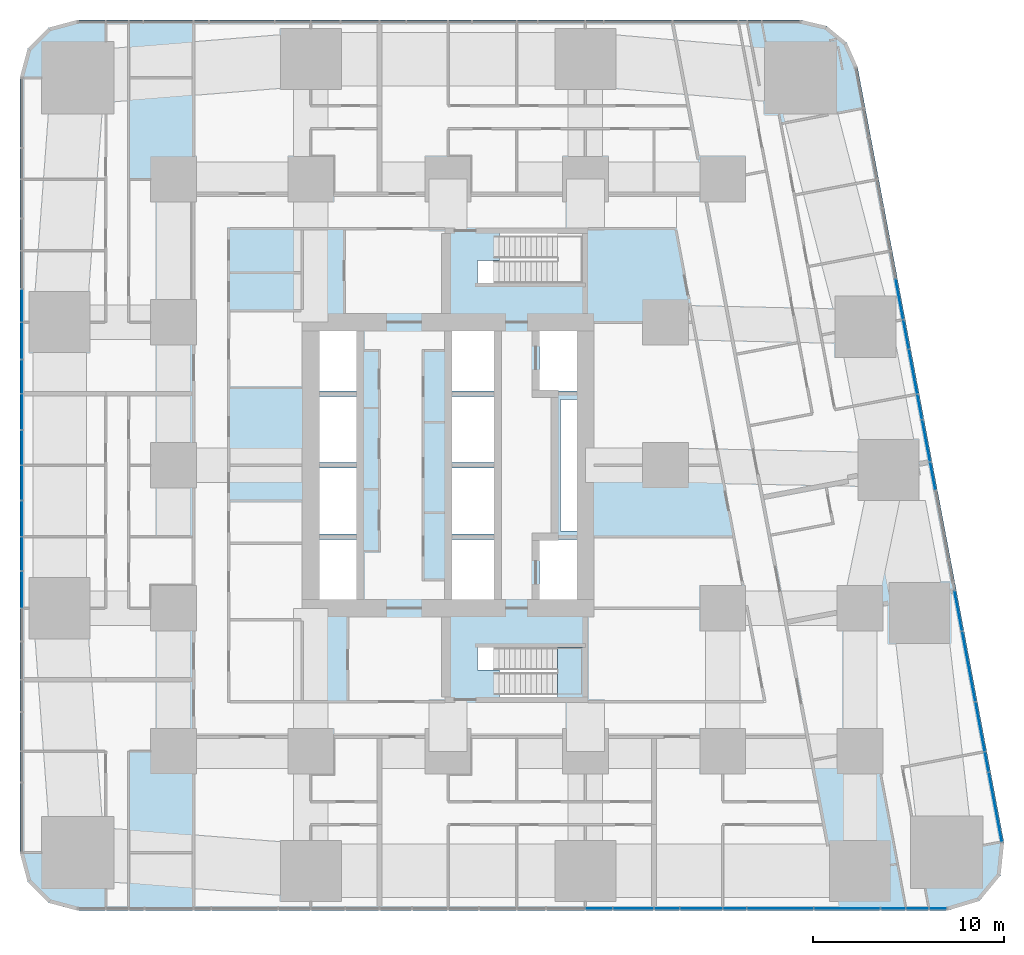
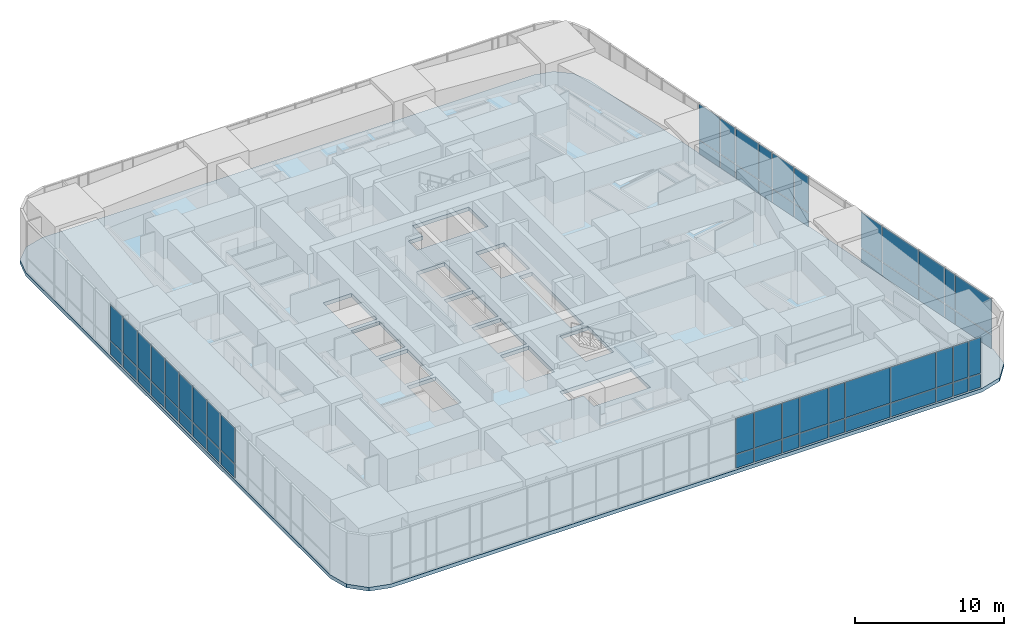
# One storey, part 10 of 23: 60 plates, 2 slabs, 4 elements without a shape of their own.
"""IFC4 building model written with IfcOpenShell, lengths in metres."""

from ifc_helpers import new_model, si_unit, direction, frame, origin, origin_2d, place, context, subcontext, project, spatial, polyline, rectangle, outline, extrude, material, layer, layer_set, type_object, element, aggregate, save


model = new_model("IFC4")

# Units and contexts
model_context = context("Model", 3, precision=1e-05, world=origin(), true_north=direction((0.0, 1.0)))
body_context = subcontext(model_context, "Body", "Model", "MODEL_VIEW")
ifc_project = project(units=[si_unit("LENGTHUNIT", "METRE"), si_unit("AREAUNIT", "SQUARE_METRE"), si_unit("VOLUMEUNIT", "CUBIC_METRE"), si_unit("PLANEANGLEUNIT", "RADIAN"), si_unit("MASSUNIT", "GRAM", prefix="KILO")], contexts=[model_context])

# Site, building, storey
site_placement = place(None, origin())
site = spatial("IfcSite", under=ifc_project, at=site_placement, CompositionType="ELEMENT")
building_placement = place(site_placement, origin())
building = spatial("IfcBuilding", under=site, at=building_placement, Name="Sheger Commons Tower", CompositionType="ELEMENT")
storey_placement = place(building_placement, frame((0.0, 0.0, 5.60009765625)))
storey = spatial("IfcBuildingStorey", under=building, at=storey_placement, Name="L01", CompositionType="ELEMENT", Elevation=5.60009765625)

# Curtain wall, plates
ifc_material_1 = material(Name="Black aluminium curtain wall, dark tinted glazing", Category="aluminium")
curtain_wall_type = type_object("IfcCurtainWallType", Name="CURTAIN WALL CW2 HEALTH CENTRE", PredefinedType="USERDEFINED", material=ifc_material_1)
curtain_wall_1_placement = place(storey_placement, origin())
curtain_wall_1 = element("IfcCurtainWall", 1, at=curtain_wall_1_placement, inside=storey, type_object=curtain_wall_type, Name="Curtain Wall Cw2 Health Centre S1 L01", ObjectType="STICK CURTAIN WALL", PredefinedType="USERDEFINED")
ifc_material_2 = material(Name="Dark tinted double glazing", Category="glass")
ifc_layer_1 = layer(ifc_material_2, 0.031982421875)
ifc_layer_set_1 = layer_set([ifc_layer_1], Name="GLAZED PANEL 32")
plate_type = type_object("IfcPlateType", Name="GLAZED PANEL 32", PredefinedType="CURTAIN_PANEL", material=ifc_layer_set_1)
plate_1_placement = place(storey_placement, frame((29.52099609375, -0.75, 0.06494140625), z_axis=(0.0, 0.0, 1.0), x_axis=(1.0, 0.0, 0.0)))
plate_1 = element("IfcPlate", 2, at=plate_1_placement, type_object=plate_type, Name="CW2 panel 16.1", PredefinedType="CURTAIN_PANEL", context=body_context, shape_type="SweptSolid", body=[
    extrude(rectangle(XDim=1.376953125, YDim=0.031982421875, at=origin_2d()), origin(), (0.0, 0.0, 1.0), 1.1025390625),
])
plate_2_placement = place(storey_placement, frame((29.52099609375, -0.75, 1.232421875), z_axis=(0.0, 0.0, 1.0), x_axis=(1.0, 0.0, 0.0)))
plate_2 = element("IfcPlate", 3, at=plate_2_placement, type_object=plate_type, Name="CW2 panel 16.2", PredefinedType="CURTAIN_PANEL", context=body_context, shape_type="SweptSolid", body=[
    extrude(rectangle(XDim=1.376953125, YDim=0.031982421875, at=origin_2d()), origin(), (0.0, 0.0, 1.0), 2.902587890625),
])
plate_3_placement = place(storey_placement, frame((31.321044921875, -0.75, 0.06494140625), z_axis=(0.0, 0.0, 1.0), x_axis=(1.0, 0.0, 0.0)))
plate_3 = element("IfcPlate", 4, at=plate_3_placement, type_object=plate_type, Name="CW2 panel 17.1", PredefinedType="CURTAIN_PANEL", context=body_context, shape_type="SweptSolid", body=[
    extrude(rectangle(XDim=2.093017578125, YDim=0.031982421875, at=origin_2d()), origin(), (0.0, 0.0, 1.0), 1.1025390625),
])
plate_4_placement = place(storey_placement, frame((31.321044921875, -0.75, 1.232421875), z_axis=(0.0, 0.0, 1.0), x_axis=(1.0, 0.0, 0.0)))
plate_4 = element("IfcPlate", 5, at=plate_4_placement, type_object=plate_type, Name="CW2 panel 17.2", PredefinedType="CURTAIN_PANEL", context=body_context, shape_type="SweptSolid", body=[
    extrude(rectangle(XDim=2.093017578125, YDim=0.031982421875, at=origin_2d()), origin(), (0.0, 0.0, 1.0), 2.902587890625),
])
plate_5_placement = place(storey_placement, frame((33.075927734375, -0.75, 0.06494140625), z_axis=(0.0, 0.0, 1.0), x_axis=(1.0, 0.0, 0.0)))
plate_5 = element("IfcPlate", 6, at=plate_5_placement, type_object=plate_type, Name="CW2 panel 18.1", PredefinedType="CURTAIN_PANEL", context=body_context, shape_type="SweptSolid", body=[
    extrude(rectangle(XDim=1.287109375, YDim=0.031982421875, at=origin_2d()), origin(), (0.0, 0.0, 1.0), 1.1025390625),
])
plate_6_placement = place(storey_placement, frame((33.075927734375, -0.75, 1.232421875), z_axis=(0.0, 0.0, 1.0), x_axis=(1.0, 0.0, 0.0)))
plate_6 = element("IfcPlate", 7, at=plate_6_placement, type_object=plate_type, Name="CW2 panel 18.2", PredefinedType="CURTAIN_PANEL", context=body_context, shape_type="SweptSolid", body=[
    extrude(rectangle(XDim=1.287109375, YDim=0.031982421875, at=origin_2d()), origin(), (0.0, 0.0, 1.0), 2.902587890625),
])
plate_7_placement = place(storey_placement, frame((34.8759765625, -0.75, 0.06494140625), z_axis=(0.0, 0.0, 1.0), x_axis=(1.0, 0.0, 0.0)))
plate_7 = element("IfcPlate", 8, at=plate_7_placement, type_object=plate_type, Name="CW2 panel 19.1", PredefinedType="CURTAIN_PANEL", context=body_context, shape_type="SweptSolid", body=[
    extrude(rectangle(XDim=2.18310546875, YDim=0.031982421875, at=origin_2d()), origin(), (0.0, 0.0, 1.0), 1.1025390625),
])
plate_8_placement = place(storey_placement, frame((34.8759765625, -0.75, 1.232421875), z_axis=(0.0, 0.0, 1.0), x_axis=(1.0, 0.0, 0.0)))
plate_8 = element("IfcPlate", 9, at=plate_8_placement, type_object=plate_type, Name="CW2 panel 19.2", PredefinedType="CURTAIN_PANEL", context=body_context, shape_type="SweptSolid", body=[
    extrude(rectangle(XDim=2.18310546875, YDim=0.031982421875, at=origin_2d()), origin(), (0.0, 0.0, 1.0), 2.902587890625),
])
plate_9_placement = place(storey_placement, frame((36.630615234375, -0.75, 0.06494140625), z_axis=(0.0, 0.0, 1.0), x_axis=(1.0, 0.0, 0.0)))
plate_9 = element("IfcPlate", 10, at=plate_9_placement, type_object=plate_type, Name="CW2 panel 20.1", PredefinedType="CURTAIN_PANEL", context=body_context, shape_type="SweptSolid", body=[
    extrude(rectangle(XDim=1.196044921875, YDim=0.031982421875, at=origin_2d()), origin(), (0.0, 0.0, 1.0), 1.1025390625),
])
plate_10_placement = place(storey_placement, frame((36.630615234375, -0.75, 1.232421875), z_axis=(0.0, 0.0, 1.0), x_axis=(1.0, 0.0, 0.0)))
plate_10 = element("IfcPlate", 11, at=plate_10_placement, type_object=plate_type, Name="CW2 panel 20.2", PredefinedType="CURTAIN_PANEL", context=body_context, shape_type="SweptSolid", body=[
    extrude(rectangle(XDim=1.196044921875, YDim=0.031982421875, at=origin_2d()), origin(), (0.0, 0.0, 1.0), 2.902587890625),
])
plate_11_placement = place(storey_placement, frame((39.01611328125, -0.75, 0.06494140625), z_axis=(0.0, 0.0, 1.0), x_axis=(1.0, 0.0, 0.0)))
plate_11 = element("IfcPlate", 12, at=plate_11_placement, type_object=plate_type, Name="CW2 panel 21.1", PredefinedType="CURTAIN_PANEL", context=body_context, shape_type="SweptSolid", body=[
    extrude(rectangle(XDim=3.445068359375, YDim=0.031982421875, at=origin_2d()), origin(), (0.0, 0.0, 1.0), 1.1025390625),
])
plate_12_placement = place(storey_placement, frame((39.01611328125, -0.75, 1.232421875), z_axis=(0.0, 0.0, 1.0), x_axis=(1.0, 0.0, 0.0)))
plate_12 = element("IfcPlate", 13, at=plate_12_placement, type_object=plate_type, Name="CW2 panel 21.2", PredefinedType="CURTAIN_PANEL", context=body_context, shape_type="SweptSolid", body=[
    extrude(rectangle(XDim=3.445068359375, YDim=0.031982421875, at=origin_2d()), origin(), (0.0, 0.0, 1.0), 2.902587890625),
])
plate_13_placement = place(storey_placement, frame((42.52587890625, -0.75, 0.06494140625), z_axis=(0.0, 0.0, 1.0), x_axis=(1.0, 0.0, 0.0)))
plate_13 = element("IfcPlate", 14, at=plate_13_placement, type_object=plate_type, Name="CW2 panel 22.1", PredefinedType="CURTAIN_PANEL", context=body_context, shape_type="SweptSolid", body=[
    extrude(rectangle(XDim=3.445068359375, YDim=0.031982421875, at=origin_2d()), origin(), (0.0, 0.0, 1.0), 1.1025390625),
])
plate_14_placement = place(storey_placement, frame((42.52587890625, -0.75, 1.232421875), z_axis=(0.0, 0.0, 1.0), x_axis=(1.0, 0.0, 0.0)))
plate_14 = element("IfcPlate", 15, at=plate_14_placement, type_object=plate_type, Name="CW2 panel 22.2", PredefinedType="CURTAIN_PANEL", context=body_context, shape_type="SweptSolid", body=[
    extrude(rectangle(XDim=3.445068359375, YDim=0.031982421875, at=origin_2d()), origin(), (0.0, 0.0, 1.0), 2.902587890625),
])
plate_15_placement = place(storey_placement, frame((44.943603515625, -0.75, 0.06494140625), z_axis=(0.0, 0.0, 1.0), x_axis=(1.0, 0.0, 0.0)))
plate_15 = element("IfcPlate", 16, at=plate_15_placement, type_object=plate_type, Name="CW2 panel 23.1", PredefinedType="CURTAIN_PANEL", context=body_context, shape_type="SweptSolid", body=[
    extrude(rectangle(XDim=1.260009765625, YDim=0.031982421875, at=origin_2d()), origin(), (0.0, 0.0, 1.0), 1.1025390625),
])
plate_16_placement = place(storey_placement, frame((44.943603515625, -0.75, 1.232421875), z_axis=(0.0, 0.0, 1.0), x_axis=(1.0, 0.0, 0.0)))
plate_16 = element("IfcPlate", 17, at=plate_16_placement, type_object=plate_type, Name="CW2 panel 23.2", PredefinedType="CURTAIN_PANEL", context=body_context, shape_type="SweptSolid", body=[
    extrude(rectangle(XDim=1.260009765625, YDim=0.031982421875, at=origin_2d()), origin(), (0.0, 0.0, 1.0), 2.902587890625),
])
plate_17_placement = place(storey_placement, frame((46.216552734375, -0.75, 0.06494140625), z_axis=(0.0, 0.0, 1.0), x_axis=(1.0, 0.0, 0.0)))
plate_17 = element("IfcPlate", 18, at=plate_17_placement, type_object=plate_type, Name="CW2 panel 24.1", PredefinedType="CURTAIN_PANEL", context=body_context, shape_type="SweptSolid", body=[
    extrude(rectangle(XDim=1.156005859375, YDim=0.031982421875, at=origin_2d()), origin(), (0.0, 0.0, 1.0), 1.1025390625),
])
plate_18_placement = place(storey_placement, frame((46.216552734375, -0.75, 1.232421875), z_axis=(0.0, 0.0, 1.0), x_axis=(1.0, 0.0, 0.0)))
plate_18 = element("IfcPlate", 19, at=plate_18_placement, type_object=plate_type, Name="CW2 panel 24.2", PredefinedType="CURTAIN_PANEL", context=body_context, shape_type="SweptSolid", body=[
    extrude(rectangle(XDim=1.156005859375, YDim=0.031982421875, at=origin_2d()), origin(), (0.0, 0.0, 1.0), 2.902587890625),
])
plate_19_placement = place(storey_placement, frame((47.292724609375, -0.75, 0.06494140625), z_axis=(0.0, 0.0, 1.0), x_axis=(1.0, 0.0, 0.0)))
plate_19 = element("IfcPlate", 20, at=plate_19_placement, type_object=plate_type, Name="CW2 panel 25.1", PredefinedType="CURTAIN_PANEL", context=body_context, shape_type="SweptSolid", body=[
    extrude(rectangle(XDim=0.866455078125, YDim=0.031982421875, at=origin_2d()), origin(), (0.0, 0.0, 1.0), 1.1025390625),
])
plate_20_placement = place(storey_placement, frame((47.292724609375, -0.75, 1.232421875), z_axis=(0.0, 0.0, 1.0), x_axis=(1.0, 0.0, 0.0)))
plate_20 = element("IfcPlate", 21, at=plate_20_placement, type_object=plate_type, Name="CW2 panel 25.2", PredefinedType="CURTAIN_PANEL", context=body_context, shape_type="SweptSolid", body=[
    extrude(rectangle(XDim=0.866455078125, YDim=0.031982421875, at=origin_2d()), origin(), (0.0, 0.0, 1.0), 2.902587890625),
])
aggregate(curtain_wall_1, [plate_1, plate_2, plate_3, plate_4, plate_5, plate_6, plate_7, plate_8, plate_9, plate_10, plate_11, plate_12, plate_13, plate_14, plate_15, plate_16, plate_17, plate_18, plate_19, plate_20])

curtain_wall_2_placement = place(storey_placement, origin())
curtain_wall_2 = element("IfcCurtainWall", 22, at=curtain_wall_2_placement, inside=storey, type_object=curtain_wall_type, Name="Curtain Wall Cw2 Health Centre E1 L01", ObjectType="STICK CURTAIN WALL", PredefinedType="USERDEFINED")
plate_21_placement = place(storey_placement, frame((50.30078125, 4.56787109375, 0.06494140625), z_axis=(0.0, 0.0, 1.0), x_axis=(-0.185609884918, 0.982623514181, 0.0)))
plate_21 = element("IfcPlate", 23, at=plate_21_placement, type_object=plate_type, Name="CW2 panel 1.1", PredefinedType="CURTAIN_PANEL", context=body_context, shape_type="SweptSolid", body=[
    extrude(rectangle(XDim=3.66552734375, YDim=0.031982421875, at=origin_2d()), origin(), (0.0, 0.0, 1.0), 1.1025390625),
])
plate_22_placement = place(storey_placement, frame((50.30078125, 4.56787109375, 1.232421875), z_axis=(0.0, 0.0, 1.0), x_axis=(-0.185609884918, 0.982623514181, 0.0)))
plate_22 = element("IfcPlate", 24, at=plate_22_placement, type_object=plate_type, Name="CW2 panel 1.2", PredefinedType="CURTAIN_PANEL", context=body_context, shape_type="SweptSolid", body=[
    extrude(rectangle(XDim=3.66552734375, YDim=0.031982421875, at=origin_2d()), origin(), (0.0, 0.0, 1.0), 2.902587890625),
])
plate_23_placement = place(storey_placement, frame((49.8525390625, 6.941162109375, 0.06494140625), z_axis=(0.0, 0.0, 1.0), x_axis=(-0.185609884918, 0.982623514181, 0.0)))
plate_23 = element("IfcPlate", 25, at=plate_23_placement, type_object=plate_type, Name="CW2 panel 2.1", PredefinedType="CURTAIN_PANEL", context=body_context, shape_type="SweptSolid", body=[
    extrude(rectangle(XDim=1.034912109375, YDim=0.031982421875, at=origin_2d()), origin(), (0.0, 0.0, 1.0), 1.1025390625),
])
plate_24_placement = place(storey_placement, frame((49.8525390625, 6.941162109375, 1.232421875), z_axis=(0.0, 0.0, 1.0), x_axis=(-0.185609884918, 0.982623514181, 0.0)))
plate_24 = element("IfcPlate", 26, at=plate_24_placement, type_object=plate_type, Name="CW2 panel 2.2", PredefinedType="CURTAIN_PANEL", context=body_context, shape_type="SweptSolid", body=[
    extrude(rectangle(XDim=1.034912109375, YDim=0.031982421875, at=origin_2d()), origin(), (0.0, 0.0, 1.0), 2.902587890625),
])
plate_25_placement = place(storey_placement, frame((49.503173828125, 8.789794921875, 0.06494140625), z_axis=(0.0, 0.0, 1.0), x_axis=(-0.185609884918, 0.982623514181, 0.0)))
plate_25 = element("IfcPlate", 27, at=plate_25_placement, type_object=plate_type, Name="CW2 panel 3.1", PredefinedType="CURTAIN_PANEL", context=body_context, shape_type="SweptSolid", body=[
    extrude(rectangle(XDim=2.597900390625, YDim=0.031982421875, at=origin_2d()), origin(), (0.0, 0.0, 1.0), 1.1025390625),
])
plate_26_placement = place(storey_placement, frame((49.503173828125, 8.789794921875, 1.232421875), z_axis=(0.0, 0.0, 1.0), x_axis=(-0.185609884918, 0.982623514181, 0.0)))
plate_26 = element("IfcPlate", 28, at=plate_26_placement, type_object=plate_type, Name="CW2 panel 3.2", PredefinedType="CURTAIN_PANEL", context=body_context, shape_type="SweptSolid", body=[
    extrude(rectangle(XDim=2.597900390625, YDim=0.031982421875, at=origin_2d()), origin(), (0.0, 0.0, 1.0), 2.902587890625),
])
plate_27_placement = place(storey_placement, frame((48.906982421875, 11.947021484375, 0.06494140625), z_axis=(0.0, 0.0, 1.0), x_axis=(-0.185609884918, 0.982623514181, 0.0)))
plate_27 = element("IfcPlate", 29, at=plate_27_placement, type_object=plate_type, Name="CW2 panel 4.1", PredefinedType="CURTAIN_PANEL", context=body_context, shape_type="SweptSolid", body=[
    extrude(rectangle(XDim=3.697998046875, YDim=0.031982421875, at=origin_2d()), origin(), (0.0, 0.0, 1.0), 1.1025390625),
])
plate_28_placement = place(storey_placement, frame((48.906982421875, 11.947021484375, 1.232421875), z_axis=(0.0, 0.0, 1.0), x_axis=(-0.185609884918, 0.982623514181, 0.0)))
plate_28 = element("IfcPlate", 30, at=plate_28_placement, type_object=plate_type, Name="CW2 panel 4.2", PredefinedType="CURTAIN_PANEL", context=body_context, shape_type="SweptSolid", body=[
    extrude(rectangle(XDim=3.697998046875, YDim=0.031982421875, at=origin_2d()), origin(), (0.0, 0.0, 1.0), 2.902587890625),
])
plate_29_placement = place(storey_placement, frame((48.355712890625, 14.865478515625, 0.06494140625), z_axis=(0.0, 0.0, 1.0), x_axis=(-0.185609884918, 0.982623514181, 0.0)))
plate_29 = element("IfcPlate", 31, at=plate_29_placement, type_object=plate_type, Name="CW2 panel 5.1", PredefinedType="CURTAIN_PANEL", context=body_context, shape_type="SweptSolid", body=[
    extrude(rectangle(XDim=2.112060546875, YDim=0.031982421875, at=origin_2d()), origin(), (0.0, 0.0, 1.0), 1.1025390625),
])
plate_30_placement = place(storey_placement, frame((48.355712890625, 14.865478515625, 1.232421875), z_axis=(0.0, 0.0, 1.0), x_axis=(-0.185609884918, 0.982623514181, 0.0)))
plate_30 = element("IfcPlate", 32, at=plate_30_placement, type_object=plate_type, Name="CW2 panel 5.2", PredefinedType="CURTAIN_PANEL", context=body_context, shape_type="SweptSolid", body=[
    extrude(rectangle(XDim=2.112060546875, YDim=0.031982421875, at=origin_2d()), origin(), (0.0, 0.0, 1.0), 2.902587890625),
])
plate_31_placement = place(storey_placement, frame((47.0205078125, 21.932861328125, 0.06494140625), z_axis=(0.0, 0.0, 1.0), x_axis=(-0.185609884918, 0.982623514181, 0.0)))
plate_31 = element("IfcPlate", 33, at=plate_31_placement, type_object=plate_type, Name="CW2 panel 9.1", PredefinedType="CURTAIN_PANEL", context=body_context, shape_type="SweptSolid", body=[
    extrude(rectangle(XDim=1.445068359375, YDim=0.031982421875, at=origin_2d()), origin(), (0.0, 0.0, 1.0), 1.1025390625),
])
plate_32_placement = place(storey_placement, frame((47.0205078125, 21.932861328125, 1.232421875), z_axis=(0.0, 0.0, 1.0), x_axis=(-0.185609884918, 0.982623514181, 0.0)))
plate_32 = element("IfcPlate", 34, at=plate_32_placement, type_object=plate_type, Name="CW2 panel 9.2", PredefinedType="CURTAIN_PANEL", context=body_context, shape_type="SweptSolid", body=[
    extrude(rectangle(XDim=1.445068359375, YDim=0.031982421875, at=origin_2d()), origin(), (0.0, 0.0, 1.0), 2.902587890625),
])
plate_33_placement = place(storey_placement, frame((46.67138671875, 23.78173828125, 0.06494140625), z_axis=(0.0, 0.0, 1.0), x_axis=(-0.185609884918, 0.982623514181, 0.0)))
plate_33 = element("IfcPlate", 35, at=plate_33_placement, type_object=plate_type, Name="CW2 panel 10.1", PredefinedType="CURTAIN_PANEL", context=body_context, shape_type="SweptSolid", body=[
    extrude(rectangle(XDim=2.18798828125, YDim=0.031982421875, at=origin_2d()), origin(), (0.0, 0.0, 1.0), 1.1025390625),
])
plate_34_placement = place(storey_placement, frame((46.67138671875, 23.78173828125, 1.232421875), z_axis=(0.0, 0.0, 1.0), x_axis=(-0.185609884918, 0.982623514181, 0.0)))
plate_34 = element("IfcPlate", 36, at=plate_34_placement, type_object=plate_type, Name="CW2 panel 10.2", PredefinedType="CURTAIN_PANEL", context=body_context, shape_type="SweptSolid", body=[
    extrude(rectangle(XDim=2.18798828125, YDim=0.031982421875, at=origin_2d()), origin(), (0.0, 0.0, 1.0), 2.902587890625),
])
plate_35_placement = place(storey_placement, frame((46.33544921875, 25.559814453125, 0.06494140625), z_axis=(0.0, 0.0, 1.0), x_axis=(-0.185609884918, 0.982623514181, 0.0)))
plate_35 = element("IfcPlate", 37, at=plate_35_placement, type_object=plate_type, Name="CW2 panel 11.1", PredefinedType="CURTAIN_PANEL", context=body_context, shape_type="SweptSolid", body=[
    extrude(rectangle(XDim=1.301025390625, YDim=0.031982421875, at=origin_2d()), origin(), (0.0, 0.0, 1.0), 1.1025390625),
])
plate_36_placement = place(storey_placement, frame((46.33544921875, 25.559814453125, 1.232421875), z_axis=(0.0, 0.0, 1.0), x_axis=(-0.185609884918, 0.982623514181, 0.0)))
plate_36 = element("IfcPlate", 38, at=plate_36_placement, type_object=plate_type, Name="CW2 panel 11.2", PredefinedType="CURTAIN_PANEL", context=body_context, shape_type="SweptSolid", body=[
    extrude(rectangle(XDim=1.301025390625, YDim=0.031982421875, at=origin_2d()), origin(), (0.0, 0.0, 1.0), 2.902587890625),
])
plate_37_placement = place(storey_placement, frame((45.986328125, 27.40869140625, 0.06494140625), z_axis=(0.0, 0.0, 1.0), x_axis=(-0.185609884918, 0.982623514181, 0.0)))
plate_37 = element("IfcPlate", 39, at=plate_37_placement, type_object=plate_type, Name="CW2 panel 12.1", PredefinedType="CURTAIN_PANEL", context=body_context, shape_type="SweptSolid", body=[
    extrude(rectangle(XDim=2.33203125, YDim=0.031982421875, at=origin_2d()), origin(), (0.0, 0.0, 1.0), 1.1025390625),
])
plate_38_placement = place(storey_placement, frame((45.986328125, 27.40869140625, 1.232421875), z_axis=(0.0, 0.0, 1.0), x_axis=(-0.185609884918, 0.982623514181, 0.0)))
plate_38 = element("IfcPlate", 40, at=plate_38_placement, type_object=plate_type, Name="CW2 panel 12.2", PredefinedType="CURTAIN_PANEL", context=body_context, shape_type="SweptSolid", body=[
    extrude(rectangle(XDim=2.33203125, YDim=0.031982421875, at=origin_2d()), origin(), (0.0, 0.0, 1.0), 2.902587890625),
])
plate_39_placement = place(storey_placement, frame((45.6171875, 29.362548828125, 0.06494140625), z_axis=(0.0, 0.0, 1.0), x_axis=(-0.185609884918, 0.982623514181, 0.0)))
plate_39 = element("IfcPlate", 41, at=plate_39_placement, type_object=plate_type, Name="CW2 panel 13.1", PredefinedType="CURTAIN_PANEL", context=body_context, shape_type="SweptSolid", body=[
    extrude(rectangle(XDim=1.514892578125, YDim=0.031982421875, at=origin_2d()), origin(), (0.0, 0.0, 1.0), 1.1025390625),
])
plate_40_placement = place(storey_placement, frame((45.6171875, 29.362548828125, 1.232421875), z_axis=(0.0, 0.0, 1.0), x_axis=(-0.185609884918, 0.982623514181, 0.0)))
plate_40 = element("IfcPlate", 42, at=plate_40_placement, type_object=plate_type, Name="CW2 panel 13.2", PredefinedType="CURTAIN_PANEL", context=body_context, shape_type="SweptSolid", body=[
    extrude(rectangle(XDim=1.514892578125, YDim=0.031982421875, at=origin_2d()), origin(), (0.0, 0.0, 1.0), 2.902587890625),
])
plate_41_placement = place(storey_placement, frame((45.26806640625, 31.21142578125, 0.06494140625), z_axis=(0.0, 0.0, 1.0), x_axis=(-0.185609884918, 0.982623514181, 0.0)))
plate_41 = element("IfcPlate", 43, at=plate_41_placement, type_object=plate_type, Name="CW2 panel 14.1", PredefinedType="CURTAIN_PANEL", context=body_context, shape_type="SweptSolid", body=[
    extrude(rectangle(XDim=2.117919921875, YDim=0.031982421875, at=origin_2d()), origin(), (0.0, 0.0, 1.0), 1.1025390625),
])
plate_42_placement = place(storey_placement, frame((45.26806640625, 31.21142578125, 1.232421875), z_axis=(0.0, 0.0, 1.0), x_axis=(-0.185609884918, 0.982623514181, 0.0)))
plate_42 = element("IfcPlate", 44, at=plate_42_placement, type_object=plate_type, Name="CW2 panel 14.2", PredefinedType="CURTAIN_PANEL", context=body_context, shape_type="SweptSolid", body=[
    extrude(rectangle(XDim=2.117919921875, YDim=0.031982421875, at=origin_2d()), origin(), (0.0, 0.0, 1.0), 2.902587890625),
])
aggregate(curtain_wall_2, [plate_21, plate_22, plate_23, plate_24, plate_25, plate_26, plate_27, plate_28, plate_29, plate_30, plate_31, plate_32, plate_33, plate_34, plate_35, plate_36, plate_37, plate_38, plate_39, plate_40, plate_41, plate_42])

curtain_wall_3_placement = place(storey_placement, origin())
curtain_wall_3 = element("IfcCurtainWall", 45, at=curtain_wall_3_placement, inside=storey, type_object=curtain_wall_type, Name="Curtain Wall Cw2 Health Centre W1 L01", ObjectType="STICK CURTAIN WALL", PredefinedType="USERDEFINED")
plate_43_placement = place(storey_placement, frame((-0.75, 30.8720703125, 0.06494140625), z_axis=(0.0, 0.0, 1.0), x_axis=(0.0, -1.0, 0.0)))
plate_43 = element("IfcPlate", 46, at=plate_43_placement, type_object=plate_type, Name="CW2 panel 6.1", PredefinedType="CURTAIN_PANEL", context=body_context, shape_type="SweptSolid", body=[
    extrude(rectangle(XDim=1.678955078125, YDim=0.031982421875, at=origin_2d()), origin(), (0.0, 0.0, 1.0), 1.1025390625),
])
plate_44_placement = place(storey_placement, frame((-0.75, 30.8720703125, 1.232421875), z_axis=(0.0, 0.0, 1.0), x_axis=(0.0, -1.0, 0.0)))
plate_44 = element("IfcPlate", 47, at=plate_44_placement, type_object=plate_type, Name="CW2 panel 6.2", PredefinedType="CURTAIN_PANEL", context=body_context, shape_type="SweptSolid", body=[
    extrude(rectangle(XDim=1.678955078125, YDim=0.031982421875, at=origin_2d()), origin(), (0.0, 0.0, 1.0), 2.902587890625),
])
plate_45_placement = place(storey_placement, frame((-0.75, 29.02294921875, 0.06494140625), z_axis=(0.0, 0.0, 1.0), x_axis=(0.0, -1.0, 0.0)))
plate_45 = element("IfcPlate", 48, at=plate_45_placement, type_object=plate_type, Name="CW2 panel 7.1", PredefinedType="CURTAIN_PANEL", context=body_context, shape_type="SweptSolid", body=[
    extrude(rectangle(XDim=1.888916015625, YDim=0.031982421875, at=origin_2d()), origin(), (0.0, 0.0, 1.0), 1.1025390625),
])
plate_46_placement = place(storey_placement, frame((-0.75, 29.02294921875, 1.232421875), z_axis=(0.0, 0.0, 1.0), x_axis=(0.0, -1.0, 0.0)))
plate_46 = element("IfcPlate", 49, at=plate_46_placement, type_object=plate_type, Name="CW2 panel 7.2", PredefinedType="CURTAIN_PANEL", context=body_context, shape_type="SweptSolid", body=[
    extrude(rectangle(XDim=1.888916015625, YDim=0.031982421875, at=origin_2d()), origin(), (0.0, 0.0, 1.0), 2.902587890625),
])
plate_47_placement = place(storey_placement, frame((-0.75, 27.14794921875, 0.06494140625), z_axis=(0.0, 0.0, 1.0), x_axis=(0.0, -1.0, 0.0)))
plate_47 = element("IfcPlate", 50, at=plate_47_placement, type_object=plate_type, Name="CW2 panel 8.1", PredefinedType="CURTAIN_PANEL", context=body_context, shape_type="SweptSolid", body=[
    extrude(rectangle(XDim=1.73095703125, YDim=0.031982421875, at=origin_2d()), origin(), (0.0, 0.0, 1.0), 1.1025390625),
])
plate_48_placement = place(storey_placement, frame((-0.75, 27.14794921875, 1.232421875), z_axis=(0.0, 0.0, 1.0), x_axis=(0.0, -1.0, 0.0)))
plate_48 = element("IfcPlate", 51, at=plate_48_placement, type_object=plate_type, Name="CW2 panel 8.2", PredefinedType="CURTAIN_PANEL", context=body_context, shape_type="SweptSolid", body=[
    extrude(rectangle(XDim=1.73095703125, YDim=0.031982421875, at=origin_2d()), origin(), (0.0, 0.0, 1.0), 2.902587890625),
])
plate_49_placement = place(storey_placement, frame((-0.75, 25.299560546875, 0.06494140625), z_axis=(0.0, 0.0, 1.0), x_axis=(0.0, -1.0, 0.0)))
plate_49 = element("IfcPlate", 52, at=plate_49_placement, type_object=plate_type, Name="CW2 panel 9.1", PredefinedType="CURTAIN_PANEL", context=body_context, shape_type="SweptSolid", body=[
    extrude(rectangle(XDim=1.8359375, YDim=0.031982421875, at=origin_2d()), origin(), (0.0, 0.0, 1.0), 1.1025390625),
])
plate_50_placement = place(storey_placement, frame((-0.75, 25.299560546875, 1.232421875), z_axis=(0.0, 0.0, 1.0), x_axis=(0.0, -1.0, 0.0)))
plate_50 = element("IfcPlate", 53, at=plate_50_placement, type_object=plate_type, Name="CW2 panel 9.2", PredefinedType="CURTAIN_PANEL", context=body_context, shape_type="SweptSolid", body=[
    extrude(rectangle(XDim=1.8359375, YDim=0.031982421875, at=origin_2d()), origin(), (0.0, 0.0, 1.0), 2.902587890625),
])
plate_51_placement = place(storey_placement, frame((-0.75, 23.424560546875, 0.06494140625), z_axis=(0.0, 0.0, 1.0), x_axis=(0.0, -1.0, 0.0)))
plate_51 = element("IfcPlate", 54, at=plate_51_placement, type_object=plate_type, Name="CW2 panel 10.1", PredefinedType="CURTAIN_PANEL", context=body_context, shape_type="SweptSolid", body=[
    extrude(rectangle(XDim=1.783935546875, YDim=0.031982421875, at=origin_2d()), origin(), (0.0, 0.0, 1.0), 1.1025390625),
])
plate_52_placement = place(storey_placement, frame((-0.75, 23.424560546875, 1.232421875), z_axis=(0.0, 0.0, 1.0), x_axis=(0.0, -1.0, 0.0)))
plate_52 = element("IfcPlate", 55, at=plate_52_placement, type_object=plate_type, Name="CW2 panel 10.2", PredefinedType="CURTAIN_PANEL", context=body_context, shape_type="SweptSolid", body=[
    extrude(rectangle(XDim=1.783935546875, YDim=0.031982421875, at=origin_2d()), origin(), (0.0, 0.0, 1.0), 2.902587890625),
])
plate_53_placement = place(storey_placement, frame((-0.75, 21.575439453125, 0.06494140625), z_axis=(0.0, 0.0, 1.0), x_axis=(0.0, -1.0, 0.0)))
plate_53 = element("IfcPlate", 56, at=plate_53_placement, type_object=plate_type, Name="CW2 panel 11.1", PredefinedType="CURTAIN_PANEL", context=body_context, shape_type="SweptSolid", body=[
    extrude(rectangle(XDim=1.783935546875, YDim=0.031982421875, at=origin_2d()), origin(), (0.0, 0.0, 1.0), 1.1025390625),
])
plate_54_placement = place(storey_placement, frame((-0.75, 21.575439453125, 1.232421875), z_axis=(0.0, 0.0, 1.0), x_axis=(0.0, -1.0, 0.0)))
plate_54 = element("IfcPlate", 57, at=plate_54_placement, type_object=plate_type, Name="CW2 panel 11.2", PredefinedType="CURTAIN_PANEL", context=body_context, shape_type="SweptSolid", body=[
    extrude(rectangle(XDim=1.783935546875, YDim=0.031982421875, at=origin_2d()), origin(), (0.0, 0.0, 1.0), 2.902587890625),
])
plate_55_placement = place(storey_placement, frame((-0.75, 19.700439453125, 0.06494140625), z_axis=(0.0, 0.0, 1.0), x_axis=(0.0, -1.0, 0.0)))
plate_55 = element("IfcPlate", 58, at=plate_55_placement, type_object=plate_type, Name="CW2 panel 12.1", PredefinedType="CURTAIN_PANEL", context=body_context, shape_type="SweptSolid", body=[
    extrude(rectangle(XDim=1.8359375, YDim=0.031982421875, at=origin_2d()), origin(), (0.0, 0.0, 1.0), 1.1025390625),
])
plate_56_placement = place(storey_placement, frame((-0.75, 19.700439453125, 1.232421875), z_axis=(0.0, 0.0, 1.0), x_axis=(0.0, -1.0, 0.0)))
plate_56 = element("IfcPlate", 59, at=plate_56_placement, type_object=plate_type, Name="CW2 panel 12.2", PredefinedType="CURTAIN_PANEL", context=body_context, shape_type="SweptSolid", body=[
    extrude(rectangle(XDim=1.8359375, YDim=0.031982421875, at=origin_2d()), origin(), (0.0, 0.0, 1.0), 2.902587890625),
])
plate_57_placement = place(storey_placement, frame((-0.75, 17.85205078125, 0.06494140625), z_axis=(0.0, 0.0, 1.0), x_axis=(0.0, -1.0, 0.0)))
plate_57 = element("IfcPlate", 60, at=plate_57_placement, type_object=plate_type, Name="CW2 panel 13.1", PredefinedType="CURTAIN_PANEL", context=body_context, shape_type="SweptSolid", body=[
    extrude(rectangle(XDim=1.73095703125, YDim=0.031982421875, at=origin_2d()), origin(), (0.0, 0.0, 1.0), 1.1025390625),
])
plate_58_placement = place(storey_placement, frame((-0.75, 17.85205078125, 1.232421875), z_axis=(0.0, 0.0, 1.0), x_axis=(0.0, -1.0, 0.0)))
plate_58 = element("IfcPlate", 61, at=plate_58_placement, type_object=plate_type, Name="CW2 panel 13.2", PredefinedType="CURTAIN_PANEL", context=body_context, shape_type="SweptSolid", body=[
    extrude(rectangle(XDim=1.73095703125, YDim=0.031982421875, at=origin_2d()), origin(), (0.0, 0.0, 1.0), 2.902587890625),
])
plate_59_placement = place(storey_placement, frame((-0.75, 15.97705078125, 0.06494140625), z_axis=(0.0, 0.0, 1.0), x_axis=(0.0, -1.0, 0.0)))
plate_59 = element("IfcPlate", 62, at=plate_59_placement, type_object=plate_type, Name="CW2 panel 14.1", PredefinedType="CURTAIN_PANEL", context=body_context, shape_type="SweptSolid", body=[
    extrude(rectangle(XDim=1.888916015625, YDim=0.031982421875, at=origin_2d()), origin(), (0.0, 0.0, 1.0), 1.1025390625),
])
plate_60_placement = place(storey_placement, frame((-0.75, 15.97705078125, 1.232421875), z_axis=(0.0, 0.0, 1.0), x_axis=(0.0, -1.0, 0.0)))
plate_60 = element("IfcPlate", 63, at=plate_60_placement, type_object=plate_type, Name="CW2 panel 14.2", PredefinedType="CURTAIN_PANEL", context=body_context, shape_type="SweptSolid", body=[
    extrude(rectangle(XDim=1.888916015625, YDim=0.031982421875, at=origin_2d()), origin(), (0.0, 0.0, 1.0), 2.902587890625),
])
aggregate(curtain_wall_3, [plate_43, plate_44, plate_45, plate_46, plate_47, plate_48, plate_49, plate_50, plate_51, plate_52, plate_53, plate_54, plate_55, plate_56, plate_57, plate_58, plate_59, plate_60])

# Slab
ifc_material_3 = material(Name="Concrete C35/45", Category="concrete")
ifc_layer_2 = layer(ifc_material_3, 0.300048828125)
ifc_layer_set_2 = layer_set([ifc_layer_2], Name="SLAB FLOOR 300")
slab_type_1 = type_object("IfcSlabType", Name="SLAB FLOOR 300", PredefinedType="FLOOR", material=ifc_layer_set_2)
slab_1_placement = place(storey_placement, frame((0.0, 0.0, -0.300048828125)))
element("IfcSlab", 64, at=slab_1_placement, inside=storey, type_object=slab_type_1, Name="L01 floor slab", PredefinedType="FLOOR", context=body_context, shape_type="SweptSolid", body=[
    extrude(outline(polyline([(-0.85009765625, 2.14990234375), (-0.447998046875, 0.64990234375), (0.64990234375, -0.447998046875), (2.14990234375, -0.85009765625), (47.805908203125, -0.85009765625), (49.465087890625, -0.35009765625), (50.570068359375, 0.98388671875), (50.75390625, 2.70703125), (43.06591796875, 43.406982421875), (42.509033203125, 44.660888671875), (41.452880859375, 45.535888671875), (40.117919921875, 45.85009765625), (2.14990234375, 45.85009765625), (0.64990234375, 45.447998046875), (-0.447998046875, 44.35009765625), (-0.85009765625, 42.85009765625), (-0.85009765625, 2.14990234375)]), holes=[polyline([(24.2900390625, 10.35009765625), (28.64990234375, 10.35009765625), (28.64990234375, 12.949951171875), (23.15087890625, 12.949951171875), (23.15087890625, 11.75), (24.2900390625, 11.75), (24.2900390625, 10.35009765625)]), polyline([(23.15087890625, 32.050048828125), (28.64990234375, 32.050048828125), (28.64990234375, 34.64990234375), (24.2900390625, 34.64990234375), (24.2900390625, 33.25), (23.15087890625, 33.25), (23.15087890625, 32.050048828125)]), polyline([(26.39990234375, 15.14990234375), (28.60009765625, 15.14990234375), (28.60009765625, 18.60009765625), (26.39990234375, 18.60009765625), (26.39990234375, 15.14990234375)]), polyline([(26.39990234375, 26.39990234375), (28.60009765625, 26.39990234375), (28.60009765625, 29.85009765625), (26.39990234375, 29.85009765625), (26.39990234375, 26.39990234375)]), polyline([(14.60009765625, 15.14990234375), (16.800048828125, 15.14990234375), (16.800048828125, 18.60009765625), (14.60009765625, 18.60009765625), (14.60009765625, 15.14990234375)]), polyline([(14.60009765625, 18.89990234375), (16.800048828125, 18.89990234375), (16.800048828125, 22.35009765625), (14.60009765625, 22.35009765625), (14.60009765625, 18.89990234375)]), polyline([(14.60009765625, 22.64990234375), (16.800048828125, 22.64990234375), (16.800048828125, 26.10009765625), (14.60009765625, 26.10009765625), (14.60009765625, 22.64990234375)]), polyline([(14.60009765625, 26.39990234375), (16.800048828125, 26.39990234375), (16.800048828125, 29.85009765625), (14.60009765625, 29.85009765625), (14.60009765625, 26.39990234375)]), polyline([(21.800048828125, 15.14990234375), (24.0, 15.14990234375), (24.0, 18.60009765625), (21.800048828125, 18.60009765625), (21.800048828125, 15.14990234375)]), polyline([(21.800048828125, 18.89990234375), (24.0, 18.89990234375), (24.0, 22.35009765625), (21.800048828125, 22.35009765625), (21.800048828125, 18.89990234375)]), polyline([(21.800048828125, 22.64990234375), (24.0, 22.64990234375), (24.0, 26.10009765625), (21.800048828125, 26.10009765625), (21.800048828125, 22.64990234375)]), polyline([(21.800048828125, 26.39990234375), (24.0, 26.39990234375), (24.0, 29.85009765625), (21.800048828125, 29.85009765625), (21.800048828125, 26.39990234375)]), polyline([(27.5, 19.050048828125), (28.5, 19.050048828125), (28.5, 25.949951171875), (27.5, 25.949951171875), (27.5, 19.050048828125)])]), origin(), (0.0, 0.0, 1.0), 0.300048828125),
])

# Stair, slab
ifc_material_4 = material(Name="Concrete C35/45", Category="concrete")
stair_type = type_object("IfcStairType", Name="HALF-TURN STAIR 1200 RISE 4500", PredefinedType="HALF_TURN_STAIR", material=ifc_material_4)
stair_placement = place(storey_placement, origin())
stair = element("IfcStair", 65, at=stair_placement, inside=storey, type_object=stair_type, Name="Stair S1 L01", PredefinedType="HALF_TURN_STAIR")
ifc_material_5 = material(Name="Concrete C35/45", Category="concrete")
ifc_layer_3 = layer(ifc_material_5, 0.199951171875)
ifc_layer_set_3 = layer_set([ifc_layer_3], Name="STAIR LANDING 200")
slab_type_2 = type_object("IfcSlabType", Name="STAIR LANDING 200", PredefinedType="LANDING", material=ifc_layer_set_3)
slab_2_placement = place(storey_placement, frame((0.0, 0.0, 2.0498046875)))
slab_2 = element("IfcSlab", 66, at=slab_2_placement, type_object=slab_type_2, Name="S1 landing 1", PredefinedType="LANDING", context=body_context, shape_type="SweptSolid", body=[
    extrude(outline(polyline([(27.35009765625, 10.199951171875), (28.800048828125, 10.199951171875), (28.800048828125, 12.949951171875), (27.35009765625, 12.949951171875), (27.35009765625, 10.199951171875)])), origin(), (0.0, 0.0, 1.0), 0.2001953125),
])
aggregate(stair, [slab_2])

save(model, "model.ifc")
